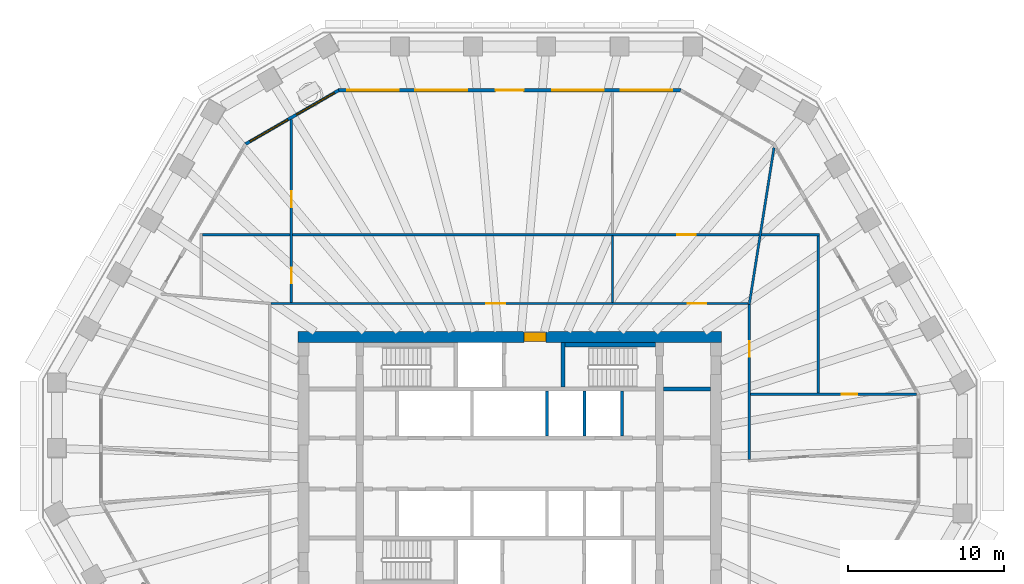
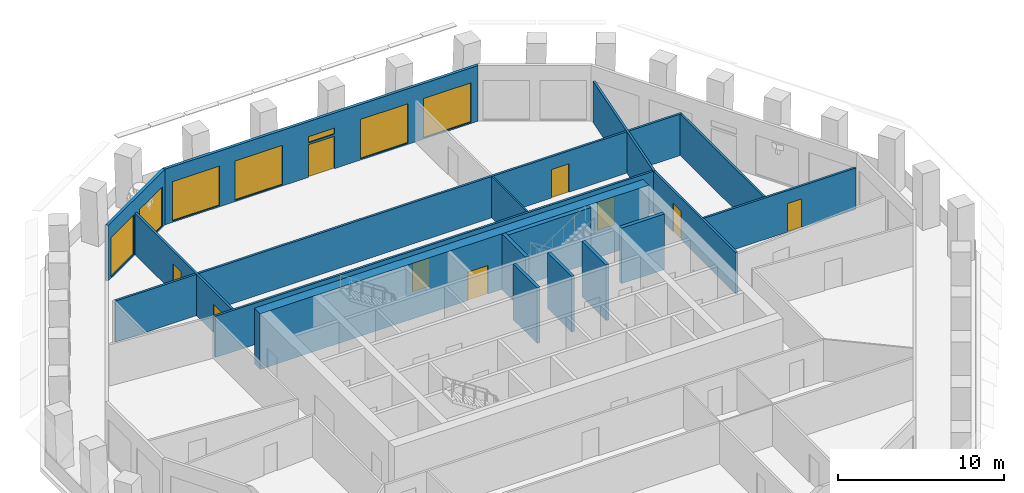
# One storey, part 7 of 12: 17 walls, 9 doors, 7 windows, 16 openings.
"""IFC4 building model written with IfcOpenShell, lengths in metres."""

from ifc_helpers import new_model, si_unit, direction, frame, frame_2d, origin, place, context, subcontext, project, spatial, polyline, rectangle, outline, extrude, material, layer, layer_set, type_object, element, fill, save


model = new_model("IFC4")

# Units and contexts
model_context = context("Model", 3, precision=1e-05, world=origin(), true_north=direction((0.0, 1.0)))
body_context = subcontext(model_context, "Body", "Model", "MODEL_VIEW")
ifc_project = project(units=[si_unit("LENGTHUNIT", "METRE"), si_unit("AREAUNIT", "SQUARE_METRE"), si_unit("VOLUMEUNIT", "CUBIC_METRE"), si_unit("PLANEANGLEUNIT", "RADIAN"), si_unit("MASSUNIT", "GRAM", prefix="KILO")], contexts=[model_context])

# Site, building, storey
site_placement = place(None, origin())
site = spatial("IfcSite", under=ifc_project, at=site_placement, CompositionType="ELEMENT")
building_placement = place(site_placement, origin())
building = spatial("IfcBuilding", under=site, at=building_placement, Name="Frailejon Research Tower", CompositionType="ELEMENT")
storey_placement = place(building_placement, frame((0.0, 0.0, 176.0)))
storey = spatial("IfcBuildingStorey", under=building, at=storey_placement, Name="L38", CompositionType="ELEMENT", Elevation=176.0)

# Wall, opening, door
ifc_material_1 = material(Name="Concrete C60/75", Category="concrete")
ifc_layer_1 = layer(ifc_material_1, 0.699951171875)
ifc_layer_set_1 = layer_set([ifc_layer_1], Name="Core shear wall 700 C60/75")
wall_type_1 = type_object("IfcWallType", Name="Core shear wall 700 C60/75", PredefinedType="SHEAR", material=ifc_layer_set_1)
wall_1_placement = place(storey_placement, frame((-13.550048828125, 8.10009765625, 0.0), z_axis=(0.0, 0.0, 1.0), x_axis=(1.0, 0.0, 0.0)))
wall_1 = element("IfcWall", 1, at=wall_1_placement, inside=storey, type_object=wall_type_1, Name="Core shear wall", PredefinedType="SHEAR", context=body_context, shape_type="SweptSolid", body=[
    extrude(rectangle(XDim=27.10009765625, YDim=0.699951171875, at=frame_2d((13.550048828125, 0.0))), origin(), (0.0, 0.0, 1.0), 4.10009765625),
])
opening_1_placement = place(wall_1_placement, frame((14.47509765625, 0.0, 0.0)))
opening_1 = element("IfcOpeningElement", 2, at=opening_1_placement, cuts=wall_1, Name="Opening D9", PredefinedType="OPENING", context=body_context, shape_type="SweptSolid", body=[
    extrude(rectangle(XDim=1.39990234375, YDim=2.10009765625, at=frame_2d((0.699951171875, 1.050048828125))), frame((0.0, 0.35986328125, 0.0), z_axis=(0.0, -1.0, 0.0), x_axis=(1.0, 0.0, 0.0)), (0.0, 0.0, 1.0), 0.719970703125),
])
ifc_material_2 = material(Name="Steel", Category="steel")
door_type_1 = type_object("IfcDoorType", Name="Goods lobby door", OperationType="DOUBLE_DOOR_SINGLE_SWING", PredefinedType="DOOR", material=ifc_material_2)
door_1_placement = place(opening_1_placement, origin())
door_1 = element("IfcDoor", 3, at=door_1_placement, inside=storey, type_object=door_type_1, Name="Goods lobby door", OperationType="DOUBLE_DOOR_SINGLE_SWING", OverallHeight=2.10009765625, OverallWidth=1.39990234375, PredefinedType="DOOR", context=body_context, shape_type="SweptSolid", body=[
    extrude(rectangle(XDim=1.39990234375, YDim=2.10009765625, at=frame_2d((0.699951171875, 1.050048828125))), frame((0.0, 0.300048828125, 0.0), z_axis=(0.0, -1.0, 0.0), x_axis=(1.0, 0.0, 0.0)), (0.0, 0.0, 1.0), 0.60009765625),
])
fill(opening_1, door_1)

ifc_material_3 = material(Name="Gypsum board and masonry partition", Category="masonry")
ifc_layer_2 = layer(ifc_material_3, 0.14990234375)
ifc_layer_set_2 = layer_set([ifc_layer_2], Name="Corridor wall EI 60, gypsum on steel studs 150")
wall_type_2 = type_object("IfcWallType", Name="Corridor wall EI 60, gypsum on steel studs 150", PredefinedType="PARTITIONING", material=ifc_layer_set_2)
wall_2_placement = place(storey_placement, frame((15.35009765625, 0.260986328125, 0.0), z_axis=(0.0, 0.0, 1.0), x_axis=(0.0, 1.0, 0.0)))
wall_2 = element("IfcWall", 4, at=wall_2_placement, inside=storey, type_object=wall_type_2, Name="T:IW:L38:002", PredefinedType="PARTITIONING", context=body_context, shape_type="SweptSolid", body=[
    extrude(rectangle(XDim=9.9140625, YDim=0.14990234375, at=frame_2d((4.95703125, 0.0))), origin(), (0.0, 0.0, 1.0), 3.050048828125),
])
opening_2_placement = place(wall_2_placement, frame((6.580078125, 0.0, 0.0)))
opening_2 = element("IfcOpeningElement", 5, at=opening_2_placement, cuts=wall_2, Name="Opening D1825", PredefinedType="OPENING", context=body_context, shape_type="SweptSolid", body=[
    extrude(rectangle(XDim=1.0, YDim=2.10009765625, at=frame_2d((0.5, 1.050048828125))), frame((0.0, 0.0849609375, 0.0), z_axis=(0.0, -1.0, 0.0), x_axis=(1.0, 0.0, 0.0)), (0.0, 0.0, 1.0), 0.169921875),
])
ifc_material_4 = material(Name="Timber door leaf", Category="wood")
door_type_2 = type_object("IfcDoorType", Name="Door laboratory, timber, vision panel 1000", OperationType="NOTDEFINED", PredefinedType="DOOR", material=ifc_material_4)
door_2_placement = place(opening_2_placement, origin())
door_2 = element("IfcDoor", 6, at=door_2_placement, inside=storey, type_object=door_type_2, Name="D1825", OperationType="SINGLE_SWING_RIGHT", OverallHeight=2.10009765625, OverallWidth=1.0, PredefinedType="DOOR", context=body_context, shape_type="SweptSolid", body=[
    extrude(rectangle(XDim=1.0, YDim=2.10009765625, at=frame_2d((0.5, 1.050048828125))), frame((0.0, 0.02490234375, 0.0), z_axis=(0.0, -1.0, 0.0), x_axis=(1.0, 0.0, 0.0)), (0.0, 0.0, 1.0), 0.050048828125),
])
fill(opening_2, door_2)

# Wall, openings, doors
wall_3_placement = place(storey_placement, frame((-15.27490234375, 10.25, 0.0), z_axis=(0.0, 0.0, 1.0), x_axis=(1.0, 0.0, 0.0)))
wall_3 = element("IfcWall", 7, at=wall_3_placement, inside=storey, type_object=wall_type_2, Name="T:IW:L38:003", PredefinedType="PARTITIONING", context=body_context, shape_type="SweptSolid", body=[
    extrude(rectangle(XDim=30.5498046875, YDim=0.14990234375, at=frame_2d((15.27490234375, 0.0))), origin(), (0.0, 0.0, 1.0), 3.050048828125),
])
opening_3_placement = place(wall_3_placement, frame((26.672119140625, 0.0, 0.0)))
opening_3 = element("IfcOpeningElement", 8, at=opening_3_placement, cuts=wall_3, Name="Opening D1826", PredefinedType="OPENING", context=body_context, shape_type="SweptSolid", body=[
    extrude(rectangle(XDim=1.199951171875, YDim=2.10009765625, at=frame_2d((0.60009765625, 1.050048828125))), frame((0.0, 0.0849609375, 0.0), z_axis=(0.0, -1.0, 0.0), x_axis=(1.0, 0.0, 0.0)), (0.0, 0.0, 1.0), 0.169921875),
])
opening_4_placement = place(wall_3_placement, frame((13.779052734375, 0.0, 0.0)))
opening_4 = element("IfcOpeningElement", 9, at=opening_4_placement, cuts=wall_3, Name="Opening D1829", PredefinedType="OPENING", context=body_context, shape_type="SweptSolid", body=[
    extrude(rectangle(XDim=1.199951171875, YDim=2.10009765625, at=frame_2d((0.60009765625, 1.050048828125))), frame((0.0, 0.0849609375, 0.0), z_axis=(0.0, -1.0, 0.0), x_axis=(1.0, 0.0, 0.0)), (0.0, 0.0, 1.0), 0.169921875),
])
ifc_material_5 = material(Name="Timber door leaf", Category="wood")
door_type_3 = type_object("IfcDoorType", Name="Door single leaf, timber, steel frame 1200", OperationType="NOTDEFINED", PredefinedType="DOOR", material=ifc_material_5)
door_3_placement = place(opening_3_placement, origin())
door_3 = element("IfcDoor", 10, at=door_3_placement, inside=storey, type_object=door_type_3, Name="D1826", OperationType="DOUBLE_DOOR_SINGLE_SWING", OverallHeight=2.10009765625, OverallWidth=1.199951171875, PredefinedType="DOOR", context=body_context, shape_type="SweptSolid", body=[
    extrude(rectangle(XDim=1.199951171875, YDim=2.10009765625, at=frame_2d((0.60009765625, 1.050048828125))), frame((0.0, 0.02490234375, 0.0), z_axis=(0.0, -1.0, 0.0), x_axis=(1.0, 0.0, 0.0)), (0.0, 0.0, 1.0), 0.050048828125),
])
fill(opening_3, door_3)
door_4_placement = place(opening_4_placement, origin())
door_4 = element("IfcDoor", 11, at=door_4_placement, inside=storey, type_object=door_type_3, Name="D1829", OperationType="DOUBLE_DOOR_SINGLE_SWING", OverallHeight=2.10009765625, OverallWidth=1.199951171875, PredefinedType="DOOR", context=body_context, shape_type="SweptSolid", body=[
    extrude(rectangle(XDim=1.199951171875, YDim=2.10009765625, at=frame_2d((0.60009765625, 1.050048828125))), frame((0.0, 0.02490234375, 0.0), z_axis=(0.0, -1.0, 0.0), x_axis=(1.0, 0.0, 0.0)), (0.0, 0.0, 1.0), 0.050048828125),
])
fill(opening_4, door_4)

# Wall, opening, door
ifc_material_6 = material(Name="Gypsum board and masonry partition", Category="masonry")
ifc_layer_3 = layer(ifc_material_6, 0.14990234375)
ifc_layer_set_3 = layer_set([ifc_layer_3], Name="Laboratory partition, blockwork 150")
wall_type_3 = type_object("IfcWallType", Name="Laboratory partition, blockwork 150", PredefinedType="PARTITIONING", material=ifc_layer_set_3)
wall_4_placement = place(storey_placement, frame((15.425048828125, 4.431884765625, 0.0), z_axis=(0.0, 0.0, 1.0), x_axis=(1.0, 0.0, 0.0)))
wall_4 = element("IfcWall", 12, at=wall_4_placement, inside=storey, type_object=wall_type_3, Name="T:IW:L38:011", PredefinedType="PARTITIONING", context=body_context, shape_type="SweptSolid", body=[
    extrude(rectangle(XDim=10.61572265625, YDim=0.14990234375, at=frame_2d((5.307861328125, 0.0))), origin(), (0.0, 0.0, 1.0), 3.050048828125),
])
opening_5_placement = place(wall_4_placement, frame((5.82275390625, 0.0, 0.0)))
opening_5 = element("IfcOpeningElement", 13, at=opening_5_placement, cuts=wall_4, Name="Opening D1824", PredefinedType="OPENING", context=body_context, shape_type="SweptSolid", body=[
    extrude(rectangle(XDim=1.0, YDim=2.10009765625, at=frame_2d((0.5, 1.050048828125))), frame((0.0, 0.0849609375, 0.0), z_axis=(0.0, -1.0, 0.0), x_axis=(1.0, 0.0, 0.0)), (0.0, 0.0, 1.0), 0.169921875),
])
ifc_material_7 = material(Name="Timber door leaf", Category="wood")
door_type_4 = type_object("IfcDoorType", Name="Door single leaf, timber, steel frame 1000", OperationType="NOTDEFINED", PredefinedType="DOOR", material=ifc_material_7)
door_5_placement = place(opening_5_placement, origin())
door_5 = element("IfcDoor", 14, at=door_5_placement, inside=storey, type_object=door_type_4, Name="D1824", OperationType="SINGLE_SWING_RIGHT", OverallHeight=2.10009765625, OverallWidth=1.0, PredefinedType="DOOR", context=body_context, shape_type="SweptSolid", body=[
    extrude(rectangle(XDim=1.0, YDim=2.10009765625, at=frame_2d((0.5, 1.050048828125))), frame((0.0, 0.02490234375, 0.0), z_axis=(0.0, -1.0, 0.0), x_axis=(1.0, 0.0, 0.0)), (0.0, 0.0, 1.0), 0.050048828125),
])
fill(opening_5, door_5)

# Wall
wall_5_placement = place(storey_placement, frame((19.75, 4.507080078125, 0.0), z_axis=(0.0, 0.0, 1.0), x_axis=(0.0, 1.0, 0.0)))
element("IfcWall", 15, at=wall_5_placement, inside=storey, type_object=wall_type_3, Name="T:IW:L38:012", PredefinedType="PARTITIONING", context=body_context, shape_type="SweptSolid", body=[
    extrude(rectangle(XDim=10.06787109375, YDim=0.14990234375, at=frame_2d((5.033935546875, 0.0))), origin(), (0.0, 0.0, 1.0), 3.050048828125),
])

# Wall, opening, door
wall_6_placement = place(storey_placement, frame((-19.675048828125, 14.64990234375, 0.0), z_axis=(0.0, 0.0, 1.0), x_axis=(1.0, 0.0, 0.0)))
wall_6 = element("IfcWall", 16, at=wall_6_placement, inside=storey, type_object=wall_type_3, Name="T:IW:L38:013", PredefinedType="PARTITIONING", context=body_context, shape_type="SweptSolid", body=[
    extrude(rectangle(XDim=39.5, YDim=0.14990234375, at=frame_2d((19.75, 0.0))), origin(), (0.0, 0.0, 1.0), 3.050048828125),
])
opening_6_placement = place(wall_6_placement, frame((30.3896484375, 0.0, 0.0)))
opening_6 = element("IfcOpeningElement", 17, at=opening_6_placement, cuts=wall_6, Name="Opening D1827", PredefinedType="OPENING", context=body_context, shape_type="SweptSolid", body=[
    extrude(rectangle(XDim=1.199951171875, YDim=2.10009765625, at=frame_2d((0.60009765625, 1.050048828125))), frame((0.0, 0.0849609375, 0.0), z_axis=(0.0, -1.0, 0.0), x_axis=(1.0, 0.0, 0.0)), (0.0, 0.0, 1.0), 0.169921875),
])
ifc_material_8 = material(Name="Timber door leaf", Category="wood")
door_type_5 = type_object("IfcDoorType", Name="Door laboratory, timber, vision panel 1200", OperationType="NOTDEFINED", PredefinedType="DOOR", material=ifc_material_8)
door_6_placement = place(opening_6_placement, origin())
door_6 = element("IfcDoor", 18, at=door_6_placement, inside=storey, type_object=door_type_5, Name="D1827", OperationType="DOUBLE_DOOR_SINGLE_SWING", OverallHeight=2.10009765625, OverallWidth=1.199951171875, PredefinedType="DOOR", context=body_context, shape_type="SweptSolid", body=[
    extrude(rectangle(XDim=1.199951171875, YDim=2.10009765625, at=frame_2d((0.60009765625, 1.050048828125))), frame((0.0, 0.02490234375, 0.0), z_axis=(0.0, -1.0, 0.0), x_axis=(1.0, 0.0, 0.0)), (0.0, 0.0, 1.0), 0.050048828125),
])
fill(opening_6, door_6)

# Wall
wall_7_placement = place(storey_placement, frame((15.33837890625, 10.17578125, 0.0), z_axis=(0.0, 0.0, 1.0), x_axis=(0.155961340777, 0.987763159965, 0.0)))
element("IfcWall", 19, at=wall_7_placement, inside=storey, type_object=wall_type_3, Name="T:IW:L38:014", PredefinedType="PARTITIONING", context=body_context, shape_type="SweptSolid", body=[
    extrude(rectangle(XDim=10.17041015625, YDim=0.14990234375, at=frame_2d((5.085205078125, 0.0))), origin(), (0.0, 0.0, 1.0), 3.050048828125),
])

# Wall, openings, doors
wall_8_placement = place(storey_placement, frame((-13.97412109375, 10.324951171875, 0.0), z_axis=(0.0, 0.0, 1.0), x_axis=(0.0, 1.0, 0.0)))
wall_8 = element("IfcWall", 20, at=wall_8_placement, inside=storey, type_object=wall_type_3, Name="T:IW:L38:016", PredefinedType="PARTITIONING", context=body_context, shape_type="SweptSolid", body=[
    extrude(rectangle(XDim=11.712158203125, YDim=0.14990234375, at=frame_2d((5.85595703125, 0.0))), origin(), (0.0, 0.0, 1.0), 3.050048828125),
])
opening_7_placement = place(wall_8_placement, frame((6.0966796875, 0.0, 0.0)))
opening_7 = element("IfcOpeningElement", 21, at=opening_7_placement, cuts=wall_8, Name="Opening D1830", PredefinedType="OPENING", context=body_context, shape_type="SweptSolid", body=[
    extrude(rectangle(XDim=1.0, YDim=2.10009765625, at=frame_2d((0.5, 1.050048828125))), frame((0.0, 0.0849609375, 0.0), z_axis=(0.0, -1.0, 0.0), x_axis=(1.0, 0.0, 0.0)), (0.0, 0.0, 1.0), 0.169921875),
])
opening_8_placement = place(wall_8_placement, frame((1.219970703125, 0.0, 0.0)))
opening_8 = element("IfcOpeningElement", 22, at=opening_8_placement, cuts=wall_8, Name="Opening D1831", PredefinedType="OPENING", context=body_context, shape_type="SweptSolid", body=[
    extrude(rectangle(XDim=1.0, YDim=2.10009765625, at=frame_2d((0.5, 1.050048828125))), frame((0.0, 0.0849609375, 0.0), z_axis=(0.0, -1.0, 0.0), x_axis=(1.0, 0.0, 0.0)), (0.0, 0.0, 1.0), 0.169921875),
])
door_7_placement = place(opening_7_placement, origin())
door_7 = element("IfcDoor", 23, at=door_7_placement, inside=storey, type_object=door_type_2, Name="D1830", OperationType="SINGLE_SWING_RIGHT", OverallHeight=2.10009765625, OverallWidth=1.0, PredefinedType="DOOR", context=body_context, shape_type="SweptSolid", body=[
    extrude(rectangle(XDim=1.0, YDim=2.10009765625, at=frame_2d((0.5, 1.050048828125))), frame((0.0, 0.02490234375, 0.0), z_axis=(0.0, -1.0, 0.0), x_axis=(1.0, 0.0, 0.0)), (0.0, 0.0, 1.0), 0.050048828125),
])
fill(opening_7, door_7)
door_8_placement = place(opening_8_placement, origin())
door_8 = element("IfcDoor", 24, at=door_8_placement, inside=storey, type_object=door_type_2, Name="D1831", OperationType="SINGLE_SWING_RIGHT", OverallHeight=2.10009765625, OverallWidth=1.0, PredefinedType="DOOR", context=body_context, shape_type="SweptSolid", body=[
    extrude(rectangle(XDim=1.0, YDim=2.10009765625, at=frame_2d((0.5, 1.050048828125))), frame((0.0, 0.02490234375, 0.0), z_axis=(0.0, -1.0, 0.0), x_axis=(1.0, 0.0, 0.0)), (0.0, 0.0, 1.0), 0.050048828125),
])
fill(opening_8, door_8)

# Walls
ifc_material_9 = material(Name="Gypsum board and masonry partition", Category="masonry")
ifc_layer_4 = layer(ifc_material_9, 0.10009765625)
ifc_layer_set_4 = layer_set([ifc_layer_4], Name="Partition, gypsum on steel studs 100")
wall_type_4 = type_object("IfcWallType", Name="Partition, gypsum on steel studs 100", PredefinedType="PARTITIONING", material=ifc_layer_set_4)
wall_9_placement = place(storey_placement, frame((6.58447265625, 10.324951171875, 0.0), z_axis=(0.0, 0.0, 1.0), x_axis=(0.0, 1.0, 0.0)))
element("IfcWall", 25, at=wall_9_placement, inside=storey, type_object=wall_type_4, Name="T:IW:L38:025", PredefinedType="PARTITIONING", context=body_context, shape_type="SweptSolid", body=[
    extrude(rectangle(XDim=4.25, YDim=0.10009765625, at=frame_2d((2.125, 0.0))), origin(), (0.0, 0.0, 1.0), 3.050048828125),
])
ifc_material_10 = material(Name="Concrete C60/75", Category="concrete")
ifc_layer_5 = layer(ifc_material_10, 0.199951171875)
ifc_layer_set_5 = layer_set([ifc_layer_5], Name="Shaft wall 200 C60/75")
wall_type_5 = type_object("IfcWallType", Name="Shaft wall 200 C60/75", PredefinedType="SOLIDWALL", material=ifc_layer_set_5)
for number, where, z_axis, x_axis, name in (
    (26, (2.39990234375, 1.75, 0.0), (0.0, 0.0, 1.0), (0.0, 1.0, 0.0), "Shaft wall"),
    (27, (4.800048828125, 1.75, 0.0), (0.0, 0.0, 1.0), (0.0, 1.0, 0.0), "Shaft wall"),
    (28, (7.199951171875, 1.75, 0.0), (0.0, 0.0, 1.0), (0.0, 1.0, 0.0), "Shaft wall"),
):
    element("IfcWall", number, at=place(storey_placement, frame(where, z_axis=z_axis, x_axis=x_axis)), inside=storey, type_object=wall_type_5, Name=name, PredefinedType="SOLIDWALL", context=body_context, shape_type="SweptSolid", body=[
        extrude(rectangle(XDim=2.89990234375, YDim=0.199951171875, at=frame_2d((1.449951171875, 0.0))), origin(), (0.0, 0.0, 1.0), 4.10009765625),
    ])
ifc_material_11 = material(Name="Concrete C60/75", Category="concrete")
ifc_layer_6 = layer(ifc_material_11, 0.25)
ifc_layer_set_6 = layer_set([ifc_layer_6], Name="Shaft wall 250 C60/75")
wall_type_6 = type_object("IfcWallType", Name="Shaft wall 250 C60/75", PredefinedType="SOLIDWALL", material=ifc_layer_set_6)
wall_10_placement = place(storey_placement, frame((9.85009765625, 4.77490234375, 0.0), z_axis=(0.0, 0.0, 1.0), x_axis=(1.0, 0.0, 0.0)))
element("IfcWall", 29, at=wall_10_placement, inside=storey, type_object=wall_type_6, Name="Shaft wall", PredefinedType="SOLIDWALL", context=body_context, shape_type="SweptSolid", body=[
    extrude(rectangle(XDim=3.0, YDim=0.25, at=frame_2d((1.5, 0.0))), origin(), (0.0, 0.0, 1.0), 4.10009765625),
])
wall_11_placement = place(storey_placement, frame((3.425048828125, 4.89990234375, 0.0), z_axis=(0.0, 0.0, 1.0), x_axis=(0.0, 1.0, 0.0)))
element("IfcWall", 30, at=wall_11_placement, inside=storey, type_object=wall_type_6, Name="Shaft wall", PredefinedType="SOLIDWALL", context=body_context, shape_type="SweptSolid", body=[
    extrude(rectangle(XDim=2.85009765625, YDim=0.25, at=frame_2d((1.425048828125, 0.0))), origin(), (0.0, 0.0, 1.0), 4.10009765625),
])
ifc_material_12 = material(Name="Concrete C60/75", Category="concrete")
ifc_layer_7 = layer(ifc_material_12, 0.300048828125)
ifc_layer_set_7 = layer_set([ifc_layer_7], Name="Shaft wall 300 C60/75")
wall_type_7 = type_object("IfcWallType", Name="Shaft wall 300 C60/75", PredefinedType="SOLIDWALL", material=ifc_layer_set_7)
wall_12_placement = place(storey_placement, frame((3.550048828125, 7.60009765625, 0.0), z_axis=(0.0, 0.0, 1.0), x_axis=(1.0, 0.0, 0.0)))
element("IfcWall", 31, at=wall_12_placement, inside=storey, type_object=wall_type_7, Name="Shaft wall", PredefinedType="SOLIDWALL", context=body_context, shape_type="SweptSolid", body=[
    extrude(rectangle(XDim=5.800048828125, YDim=0.300048828125, at=frame_2d((2.89990234375, 0.0))), origin(), (0.0, 0.0, 1.0), 4.10009765625),
])

# Wall, openings, door, windows
ifc_material_13 = material(Name="Concrete C40/50 precast window wall panel", Category="concrete")
ifc_layer_8 = layer(ifc_material_13, 0.199951171875)
ifc_layer_set_8 = layer_set([ifc_layer_8], Name="Window wall 200")
wall_type_8 = type_object("IfcWallType", Name="Window wall 200", PredefinedType="SOLIDWALL", material=ifc_layer_set_8)
wall_13_placement = place(storey_placement, frame((10.947265625, 23.89990234375, 0.0), z_axis=(0.0, 0.0, 1.0), x_axis=(-1.0, 0.0, 0.0)))
wall_13 = element("IfcWall", 32, at=wall_13_placement, inside=storey, type_object=wall_type_8, Name="Exterior wall L38", PredefinedType="SOLIDWALL", context=body_context, shape_type="SweptSolid", body=[
    extrude(outline(polyline([(-0.02685546875, -0.10009765625), (1.018310546875, -0.10009765625), (2.0634765625, -0.10009765625), (3.108642578125, -0.10009765625), (4.15380859375, -0.10009765625), (5.198974609375, -0.10009765625), (6.244140625, -0.10009765625), (7.289306640625, -0.10009765625), (8.33447265625, -0.10009765625), (9.379638671875, -0.10009765625), (10.4248046875, -0.10009765625), (11.4697265625, -0.10009765625), (12.514892578125, -0.10009765625), (13.56005859375, -0.10009765625), (14.605224609375, -0.10009765625), (15.650390625, -0.10009765625), (16.695556640625, -0.10009765625), (17.74072265625, -0.10009765625), (18.785888671875, -0.10009765625), (19.8310546875, -0.10009765625), (20.876220703125, -0.10009765625), (21.92138671875, -0.10009765625), (21.86767578125, 0.10009765625), (20.82763671875, 0.10009765625), (19.78759765625, 0.10009765625), (18.74755859375, 0.10009765625), (17.70751953125, 0.10009765625), (16.66748046875, 0.10009765625), (15.62744140625, 0.10009765625), (14.58740234375, 0.10009765625), (13.54736328125, 0.10009765625), (12.50732421875, 0.10009765625), (11.46728515625, 0.10009765625), (10.42724609375, 0.10009765625), (9.38720703125, 0.10009765625), (8.34716796875, 0.10009765625), (7.30712890625, 0.10009765625), (6.26708984375, 0.10009765625), (5.22705078125, 0.10009765625), (4.18701171875, 0.10009765625), (3.14697265625, 0.10009765625), (2.10693359375, 0.10009765625), (1.06689453125, 0.10009765625), (0.02685546875, 0.10009765625), (-0.02685546875, -0.10009765625)])), origin(), (0.0, 0.0, 1.0), 4.10009765625),
])
opening_9_placement = place(wall_13_placement, frame((0.53955078125, 0.0, 0.10009765625)))
opening_9 = element("IfcOpeningElement", 33, at=opening_9_placement, cuts=wall_13, Name="Opening W5", PredefinedType="OPENING", context=body_context, shape_type="SweptSolid", body=[
    extrude(rectangle(XDim=3.300048828125, YDim=2.89990234375, at=frame_2d((1.64990234375, 1.449951171875))), frame((0.0, 0.10986328125, 0.0), z_axis=(0.0, -1.0, 0.0), x_axis=(1.0, 0.0, 0.0)), (0.0, 0.0, 1.0), 0.219970703125),
])
opening_10_placement = place(wall_13_placement, frame((4.91845703125, 0.0, 0.10009765625)))
opening_10 = element("IfcOpeningElement", 34, at=opening_10_placement, cuts=wall_13, Name="Opening W5", PredefinedType="OPENING", context=body_context, shape_type="SweptSolid", body=[
    extrude(rectangle(XDim=3.300048828125, YDim=2.89990234375, at=frame_2d((1.64990234375, 1.449951171875))), frame((0.0, 0.10986328125, 0.0), z_axis=(0.0, -1.0, 0.0), x_axis=(1.0, 0.0, 0.0)), (0.0, 0.0, 1.0), 0.219970703125),
])
opening_11_placement = place(wall_13_placement, frame((10.04736328125, 0.0, 0.0)))
opening_11 = element("IfcOpeningElement", 35, at=opening_11_placement, cuts=wall_13, Name="Opening LG38-2", PredefinedType="OPENING", context=body_context, shape_type="SweptSolid", body=[
    extrude(rectangle(XDim=1.800048828125, YDim=2.39990234375, at=frame_2d((0.89990234375, 1.199951171875))), frame((0.0, 0.10986328125, 0.0), z_axis=(0.0, -1.0, 0.0), x_axis=(1.0, 0.0, 0.0)), (0.0, 0.0, 1.0), 0.219970703125),
])
opening_12_placement = place(wall_13_placement, frame((10.04736328125, 0.0, 2.550048828125)))
opening_12 = element("IfcOpeningElement", 36, at=opening_12_placement, cuts=wall_13, Name="Opening W1", PredefinedType="OPENING", context=body_context, shape_type="SweptSolid", body=[
    extrude(rectangle(XDim=1.800048828125, YDim=0.449951171875, at=frame_2d((0.89990234375, 0.22509765625))), frame((0.0, 0.10986328125, 0.0), z_axis=(0.0, -1.0, 0.0), x_axis=(1.0, 0.0, 0.0)), (0.0, 0.0, 1.0), 0.219970703125),
])
opening_13_placement = place(wall_13_placement, frame((13.67626953125, 0.0, 0.10009765625)))
opening_13 = element("IfcOpeningElement", 37, at=opening_13_placement, cuts=wall_13, Name="Opening W5", PredefinedType="OPENING", context=body_context, shape_type="SweptSolid", body=[
    extrude(rectangle(XDim=3.300048828125, YDim=2.89990234375, at=frame_2d((1.64990234375, 1.449951171875))), frame((0.0, 0.10986328125, 0.0), z_axis=(0.0, -1.0, 0.0), x_axis=(1.0, 0.0, 0.0)), (0.0, 0.0, 1.0), 0.219970703125),
])
opening_14_placement = place(wall_13_placement, frame((18.05517578125, 0.0, 0.10009765625)))
opening_14 = element("IfcOpeningElement", 38, at=opening_14_placement, cuts=wall_13, Name="Opening W5", PredefinedType="OPENING", context=body_context, shape_type="SweptSolid", body=[
    extrude(rectangle(XDim=3.300048828125, YDim=2.89990234375, at=frame_2d((1.64990234375, 1.449951171875))), frame((0.0, 0.10986328125, 0.0), z_axis=(0.0, -1.0, 0.0), x_axis=(1.0, 0.0, 0.0)), (0.0, 0.0, 1.0), 0.219970703125),
])
ifc_material_14 = material(Name="Aluminium framed glazed door leaf", Category="aluminium")
door_type_6 = type_object("IfcDoorType", Name="Loggia door 1800x2400", OperationType="DOUBLE_DOOR_SINGLE_SWING", PredefinedType="DOOR", material=ifc_material_14)
door_9_placement = place(opening_11_placement, origin())
door_9 = element("IfcDoor", 39, at=door_9_placement, inside=storey, type_object=door_type_6, Name="Door LG38-2", OperationType="DOUBLE_DOOR_SINGLE_SWING", OverallHeight=2.39990234375, OverallWidth=1.800048828125, PredefinedType="DOOR", context=body_context, shape_type="SweptSolid", body=[
    extrude(rectangle(XDim=1.800048828125, YDim=2.39990234375, at=frame_2d((0.89990234375, 1.199951171875))), frame((0.0, 0.02490234375, 0.0), z_axis=(0.0, -1.0, 0.0), x_axis=(1.0, 0.0, 0.0)), (0.0, 0.0, 1.0), 0.050048828125),
])
fill(opening_11, door_9)
ifc_material_15 = material(Name="Aluminium framed double glazing", Category="aluminium")
window_type_1 = type_object("IfcWindowType", Name="Window 1800x450", PartitioningType="SINGLE_PANEL", PredefinedType="WINDOW", material=ifc_material_15)
window_1_placement = place(opening_12_placement, origin())
window_1 = element("IfcWindow", 40, at=window_1_placement, inside=storey, type_object=window_type_1, Name="Window L38", OverallHeight=0.449951171875, OverallWidth=1.800048828125, PartitioningType="SINGLE_PANEL", PredefinedType="WINDOW", context=body_context, shape_type="SweptSolid", body=[
    extrude(rectangle(XDim=1.800048828125, YDim=0.449951171875, at=frame_2d((0.89990234375, 0.22509765625))), frame((0.0, 0.030029296875, 0.0), z_axis=(0.0, -1.0, 0.0), x_axis=(1.0, 0.0, 0.0)), (0.0, 0.0, 1.0), 0.06005859375),
])
fill(opening_12, window_1)
ifc_material_16 = material(Name="Aluminium framed double glazing", Category="aluminium")
window_type_2 = type_object("IfcWindowType", Name="Window 3300x2900", PartitioningType="SINGLE_PANEL", PredefinedType="WINDOW", material=ifc_material_16)
window_2_placement = place(opening_9_placement, origin())
window_2 = element("IfcWindow", 41, at=window_2_placement, inside=storey, type_object=window_type_2, Name="Window L38", OverallHeight=2.89990234375, OverallWidth=3.300048828125, PartitioningType="SINGLE_PANEL", PredefinedType="WINDOW", context=body_context, shape_type="SweptSolid", body=[
    extrude(rectangle(XDim=3.300048828125, YDim=2.89990234375, at=frame_2d((1.64990234375, 1.449951171875))), frame((0.0, 0.030029296875, 0.0), z_axis=(0.0, -1.0, 0.0), x_axis=(1.0, 0.0, 0.0)), (0.0, 0.0, 1.0), 0.06005859375),
])
fill(opening_9, window_2)
window_3_placement = place(opening_10_placement, origin())
window_3 = element("IfcWindow", 42, at=window_3_placement, inside=storey, type_object=window_type_2, Name="Window L38", OverallHeight=2.89990234375, OverallWidth=3.300048828125, PartitioningType="SINGLE_PANEL", PredefinedType="WINDOW", context=body_context, shape_type="SweptSolid", body=[
    extrude(rectangle(XDim=3.300048828125, YDim=2.89990234375, at=frame_2d((1.64990234375, 1.449951171875))), frame((0.0, 0.030029296875, 0.0), z_axis=(0.0, -1.0, 0.0), x_axis=(1.0, 0.0, 0.0)), (0.0, 0.0, 1.0), 0.06005859375),
])
fill(opening_10, window_3)
window_4_placement = place(opening_13_placement, origin())
window_4 = element("IfcWindow", 43, at=window_4_placement, inside=storey, type_object=window_type_2, Name="Window L38", OverallHeight=2.89990234375, OverallWidth=3.300048828125, PartitioningType="SINGLE_PANEL", PredefinedType="WINDOW", context=body_context, shape_type="SweptSolid", body=[
    extrude(rectangle(XDim=3.300048828125, YDim=2.89990234375, at=frame_2d((1.64990234375, 1.449951171875))), frame((0.0, 0.030029296875, 0.0), z_axis=(0.0, -1.0, 0.0), x_axis=(1.0, 0.0, 0.0)), (0.0, 0.0, 1.0), 0.06005859375),
])
fill(opening_13, window_4)
window_5_placement = place(opening_14_placement, origin())
window_5 = element("IfcWindow", 44, at=window_5_placement, inside=storey, type_object=window_type_2, Name="Window L38", OverallHeight=2.89990234375, OverallWidth=3.300048828125, PartitioningType="SINGLE_PANEL", PredefinedType="WINDOW", context=body_context, shape_type="SweptSolid", body=[
    extrude(rectangle(XDim=3.300048828125, YDim=2.89990234375, at=frame_2d((1.64990234375, 1.449951171875))), frame((0.0, 0.030029296875, 0.0), z_axis=(0.0, -1.0, 0.0), x_axis=(1.0, 0.0, 0.0)), (0.0, 0.0, 1.0), 0.06005859375),
])
fill(opening_14, window_5)

# Wall, openings, windows
wall_14_placement = place(storey_placement, frame((-10.947265625, 23.89990234375, 0.0), z_axis=(0.0, 0.0, 1.0), x_axis=(-0.866029458321, -0.49999297727, 0.0)))
wall_14 = element("IfcWall", 45, at=wall_14_placement, inside=storey, type_object=wall_type_8, Name="Exterior wall L38", PredefinedType="SOLIDWALL", context=body_context, shape_type="SweptSolid", body=[
    extrude(outline(polyline([(-0.02685546875, -0.10009765625), (1.1279296875, -0.10009765625), (2.282470703125, -0.10009765625), (3.437255859375, -0.10009765625), (4.592041015625, -0.10009765625), (5.74658203125, -0.10009765625), (6.9013671875, -0.10009765625), (6.84765625, 0.10009765625), (5.7109375, 0.10009765625), (4.573974609375, 0.10009765625), (3.437255859375, 0.10009765625), (2.300537109375, 0.10009765625), (1.16357421875, 0.10009765625), (0.02685546875, 0.10009765625), (-0.02685546875, -0.10009765625)])), origin(), (0.0, 0.0, 1.0), 4.10009765625),
])
opening_15_placement = place(wall_14_placement, frame((0.318603515625, 0.0, 0.10009765625)))
opening_15 = element("IfcOpeningElement", 46, at=opening_15_placement, cuts=wall_14, Name="Opening W3", PredefinedType="OPENING", context=body_context, shape_type="SweptSolid", body=[
    extrude(rectangle(XDim=2.800048828125, YDim=2.89990234375, at=frame_2d((1.39990234375, 1.449951171875))), frame((0.0, 0.10986328125, 0.0), z_axis=(0.0, -1.0, 0.0), x_axis=(1.0, 0.0, 0.0)), (0.0, 0.0, 1.0), 0.219970703125),
])
opening_16_placement = place(wall_14_placement, frame((3.756103515625, 0.0, 0.10009765625)))
opening_16 = element("IfcOpeningElement", 47, at=opening_16_placement, cuts=wall_14, Name="Opening W3", PredefinedType="OPENING", context=body_context, shape_type="SweptSolid", body=[
    extrude(rectangle(XDim=2.800048828125, YDim=2.89990234375, at=frame_2d((1.39990234375, 1.449951171875))), frame((0.0, 0.10986328125, 0.0), z_axis=(0.0, -1.0, 0.0), x_axis=(1.0, 0.0, 0.0)), (0.0, 0.0, 1.0), 0.219970703125),
])
ifc_material_17 = material(Name="Aluminium framed double glazing", Category="aluminium")
window_type_3 = type_object("IfcWindowType", Name="Window 2800x2900", PartitioningType="SINGLE_PANEL", PredefinedType="WINDOW", material=ifc_material_17)
window_6_placement = place(opening_15_placement, origin())
window_6 = element("IfcWindow", 48, at=window_6_placement, inside=storey, type_object=window_type_3, Name="Window L38", OverallHeight=2.89990234375, OverallWidth=2.800048828125, PartitioningType="SINGLE_PANEL", PredefinedType="WINDOW", context=body_context, shape_type="SweptSolid", body=[
    extrude(rectangle(XDim=2.800048828125, YDim=2.89990234375, at=frame_2d((1.39990234375, 1.449951171875))), frame((0.0, 0.030029296875, 0.0), z_axis=(0.0, -1.0, 0.0), x_axis=(1.0, 0.0, 0.0)), (0.0, 0.0, 1.0), 0.06005859375),
])
fill(opening_15, window_6)
window_7_placement = place(opening_16_placement, origin())
window_7 = element("IfcWindow", 49, at=window_7_placement, inside=storey, type_object=window_type_3, Name="Window L38", OverallHeight=2.89990234375, OverallWidth=2.800048828125, PartitioningType="SINGLE_PANEL", PredefinedType="WINDOW", context=body_context, shape_type="SweptSolid", body=[
    extrude(rectangle(XDim=2.800048828125, YDim=2.89990234375, at=frame_2d((1.39990234375, 1.449951171875))), frame((0.0, 0.030029296875, 0.0), z_axis=(0.0, -1.0, 0.0), x_axis=(1.0, 0.0, 0.0)), (0.0, 0.0, 1.0), 0.06005859375),
])
fill(opening_16, window_7)

save(model, "model.ifc")
